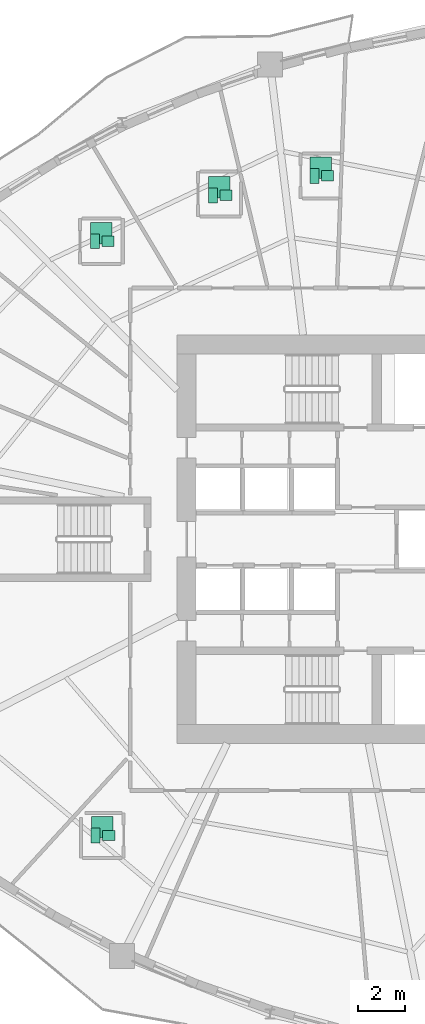
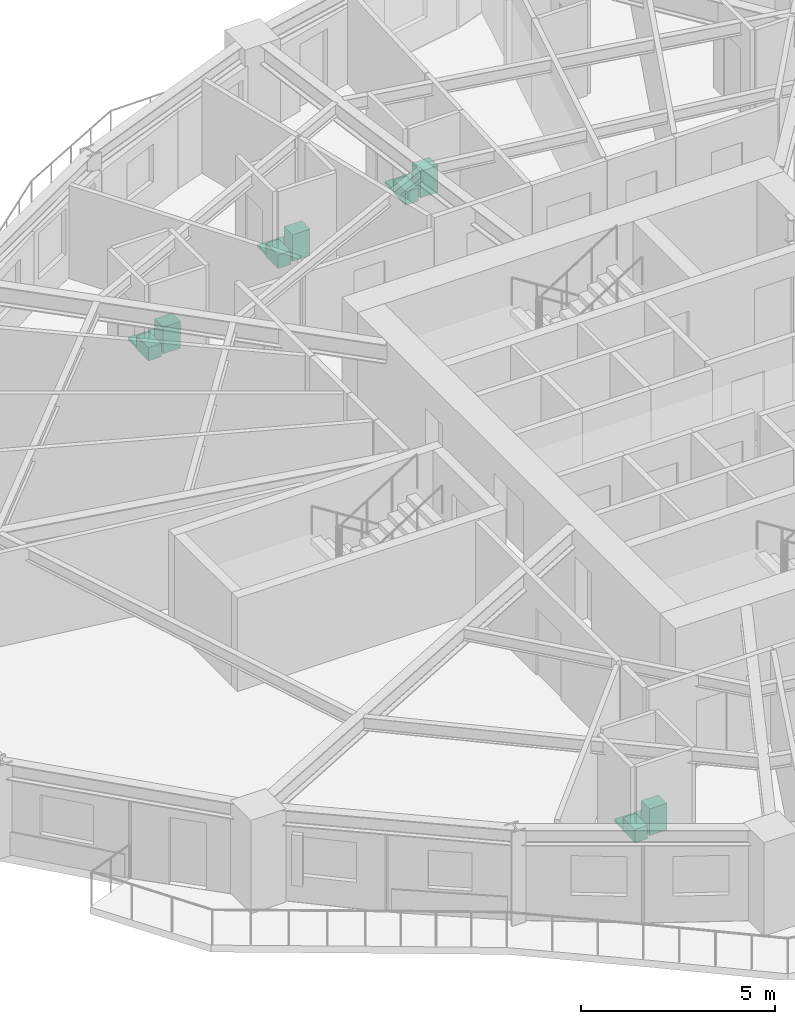
# One storey, part 16 of 16: 12 sanitary terminals.
"""IFC4 building model written with IfcOpenShell, lengths in metres."""

from ifc_helpers import new_model, si_unit, direction, frame, origin, origin_2d, place, context, subcontext, project, spatial, rectangle, extrude, source, transform, mapped, material, type_object, element, save


model = new_model("IFC4")

# Units and contexts
model_context = context("Model", 3, precision=1e-05, world=origin(), true_north=direction((0.0, 1.0)))
body_context = subcontext(model_context, "Body", "Model", "MODEL_VIEW")
ifc_project = project(units=[si_unit("LENGTHUNIT", "METRE"), si_unit("AREAUNIT", "SQUARE_METRE"), si_unit("VOLUMEUNIT", "CUBIC_METRE"), si_unit("PLANEANGLEUNIT", "RADIAN"), si_unit("MASSUNIT", "GRAM", prefix="KILO")], contexts=[model_context])

# Site, building, storey
site_placement = place(None, origin())
site = spatial("IfcSite", under=ifc_project, at=site_placement, CompositionType="ELEMENT")
building_placement = place(site_placement, origin())
building = spatial("IfcBuilding", under=site, at=building_placement, Name="Qafzar Sky-Pleat Residences", CompositionType="ELEMENT")
storey_placement = place(building_placement, frame((0.0, 0.0, 30.199951171875)))
storey = spatial("IfcBuildingStorey", under=building, at=storey_placement, Name="L08", CompositionType="ELEMENT", Elevation=30.199951171875)

# Sanitary terminals
ifc_material_1 = material(Name="Vitreous china sanitaryware")
sanitary_terminal_type_1 = type_object("IfcSanitaryTerminalType", Name="SAN-WC-PAN", PredefinedType="TOILETPAN", material=ifc_material_1)
shared_shape_1 = source(origin(), body_context, "Body", "SweptSolid", [
    extrude(rectangle(XDim=0.3798828125, YDim=0.6201171875, at=origin_2d()), origin(), (0.0, 0.0, 1.0), 0.419921875),
])
for number, where, z_axis, x_axis, name in (
    (1, (29.77294921875, 41.297119140625, 0.0), (0.0, 0.0, 1.0), (1.0, 0.0, 0.0), "L08 En-suite Bathroom 1 WC Pan"),
    (2, (25.4990234375, 40.4736328125, 0.0), (0.0, 0.0, 1.0), (1.0, 0.0, 0.0), "L08 En-suite Bathroom 2 WC Pan"),
    (3, (20.530029296875, 38.544921875, 0.0), (0.0, 0.0, 1.0), (1.0, 0.0, 0.0), "L08 En-suite Bathroom 3 WC Pan"),
    (4, (20.56396484375, 13.52294921875, 0.0), (0.0, 0.0, 1.0), (1.0, 0.0, 0.0), "L08 En-suite Bathroom 6 WC Pan"),
):
    element("IfcSanitaryTerminal", number, at=place(storey_placement, frame(where, z_axis=z_axis, x_axis=x_axis)), inside=storey, type_object=sanitary_terminal_type_1, Name=name, PredefinedType="TOILETPAN", context=body_context, shape_type="MappedRepresentation", body=[
        mapped(shared_shape_1, transform((0.0, 0.0, 0.0), x_axis=(1.0, 0.0, 0.0), y_axis=(0.0, 1.0, 0.0), z_axis=(0.0, 0.0, 1.0), scale=1.0)),
    ])
sanitary_terminal_type_2 = type_object("IfcSanitaryTerminalType", Name="SAN-BASIN", PredefinedType="WASHHANDBASIN", material=ifc_material_1)
shared_shape_2 = source(origin(), body_context, "Body", "SweptSolid", [
    extrude(rectangle(XDim=0.52001953125, YDim=0.43994140625, at=origin_2d()), origin(), (0.0, 0.0, 1.0), 0.840087890625),
])
for number, where, z_axis, x_axis, name in (
    (5, (30.3330078125, 41.297119140625, 0.0), (0.0, 0.0, 1.0), (1.0, 0.0, 0.0), "L08 En-suite Bathroom 1 Pedestal Washbasin"),
    (6, (26.05908203125, 40.4736328125, 0.0), (0.0, 0.0, 1.0), (1.0, 0.0, 0.0), "L08 En-suite Bathroom 2 Pedestal Washbasin"),
    (7, (21.090087890625, 38.544921875, 0.0), (0.0, 0.0, 1.0), (1.0, 0.0, 0.0), "L08 En-suite Bathroom 3 Pedestal Washbasin"),
    (8, (21.1240234375, 13.52294921875, 0.0), (0.0, 0.0, 1.0), (1.0, 0.0, 0.0), "L08 En-suite Bathroom 6 Pedestal Washbasin"),
):
    element("IfcSanitaryTerminal", number, at=place(storey_placement, frame(where, z_axis=z_axis, x_axis=x_axis)), inside=storey, type_object=sanitary_terminal_type_2, Name=name, PredefinedType="WASHHANDBASIN", context=body_context, shape_type="MappedRepresentation", body=[
        mapped(shared_shape_2, transform((0.0, 0.0, 0.0), x_axis=(1.0, 0.0, 0.0), y_axis=(0.0, 1.0, 0.0), z_axis=(0.0, 0.0, 1.0), scale=1.0)),
    ])
ifc_material_2 = material(Name="Vitreous china and acrylic tray")
sanitary_terminal_type_3 = type_object("IfcSanitaryTerminalType", Name="SAN-SHOWER", PredefinedType="SHOWER", material=ifc_material_2)
shared_shape_3 = source(origin(), body_context, "Body", "SweptSolid", [
    extrude(rectangle(XDim=0.89990234375, YDim=0.89990234375, at=origin_2d()), origin(), (0.0, 0.0, 1.0), 0.080078125),
])
for number, where, z_axis, x_axis, name in (
    (9, (30.052978515625, 41.636962890625, 0.0), (0.0, 0.0, 1.0), (1.0, 0.0, 0.0), "L08 En-suite Bathroom 1 Walk-In Shower"),
    (10, (25.779052734375, 40.813720703125, 0.0), (0.0, 0.0, 1.0), (1.0, 0.0, 0.0), "L08 En-suite Bathroom 2 Walk-In Shower"),
    (11, (20.81005859375, 38.885009765625, 0.0), (0.0, 0.0, 1.0), (1.0, 0.0, 0.0), "L08 En-suite Bathroom 3 Walk-In Shower"),
    (12, (20.843994140625, 13.863037109375, 0.0), (0.0, 0.0, 1.0), (1.0, 0.0, 0.0), "L08 En-suite Bathroom 6 Walk-In Shower"),
):
    element("IfcSanitaryTerminal", number, at=place(storey_placement, frame(where, z_axis=z_axis, x_axis=x_axis)), inside=storey, type_object=sanitary_terminal_type_3, Name=name, PredefinedType="SHOWER", context=body_context, shape_type="MappedRepresentation", body=[
        mapped(shared_shape_3, transform((0.0, 0.0, 0.0), x_axis=(1.0, 0.0, 0.0), y_axis=(0.0, 1.0, 0.0), z_axis=(0.0, 0.0, 1.0), scale=1.0)),
    ])

save(model, "model.ifc")
